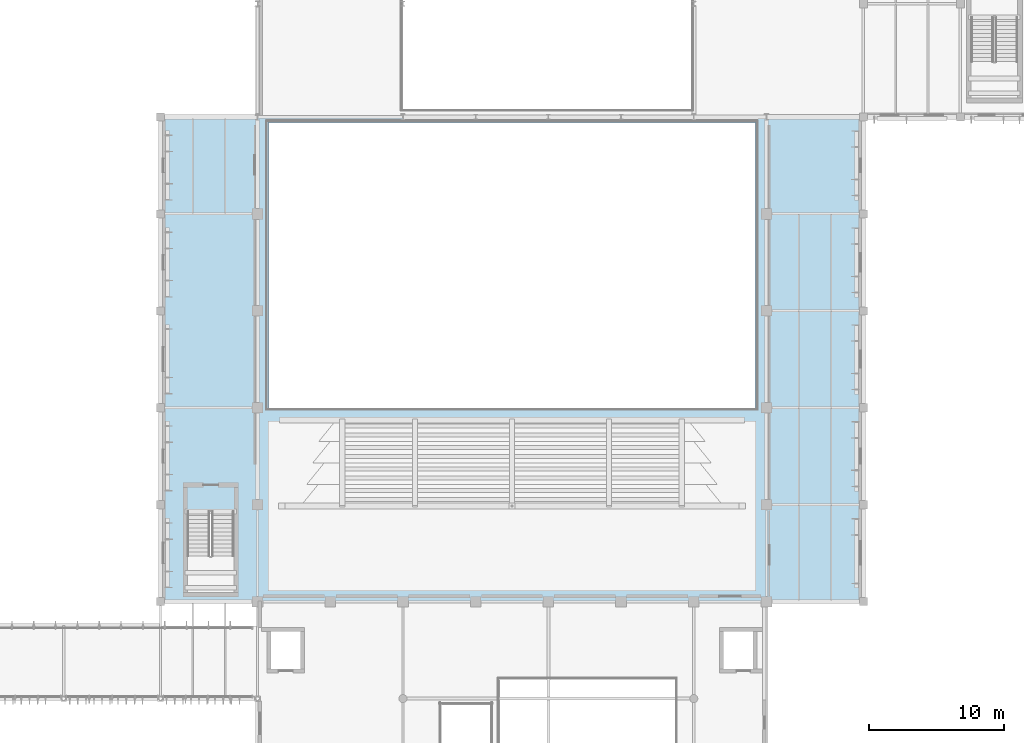
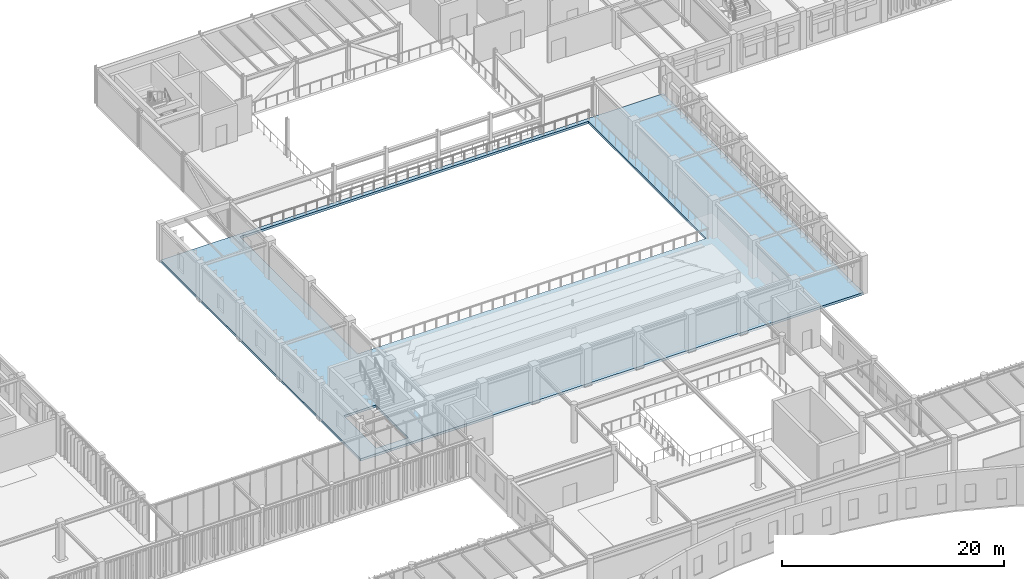
# One storey, part 26 of 104: 1 slab.
"""IFC4 building model written with IfcOpenShell, lengths in metres."""

from ifc_helpers import new_model, si_unit, direction, frame, origin, place, context, subcontext, project, spatial, polyline, outline, extrude, material, layer, layer_set, type_object, element, save


model = new_model("IFC4")

# Units and contexts
model_context = context("Model", 3, precision=1e-05, world=origin(), true_north=direction((0.0, 1.0)))
body_context = subcontext(model_context, "Body", "Model", "MODEL_VIEW")
ifc_project = project(units=[si_unit("LENGTHUNIT", "METRE"), si_unit("AREAUNIT", "SQUARE_METRE"), si_unit("VOLUMEUNIT", "CUBIC_METRE"), si_unit("PLANEANGLEUNIT", "RADIAN"), si_unit("MASSUNIT", "GRAM", prefix="KILO")], contexts=[model_context])

# Site, building, storey
site_placement = place(None, origin())
site = spatial("IfcSite", under=ifc_project, at=site_placement, CompositionType="ELEMENT")
building_placement = place(site_placement, origin())
building = spatial("IfcBuilding", under=site, at=building_placement, Name="Tazoul Stagehouse", CompositionType="ELEMENT")
storey_placement = place(building_placement, frame((0.0, 0.0, 9.0)))
storey = spatial("IfcBuildingStorey", under=building, at=storey_placement, Name="L02", CompositionType="ELEMENT", Elevation=9.0)

# Slab
ifc_material = material(Name="Concrete C35/45", Category="concrete")
ifc_layer = layer(ifc_material, 0.260009765625, Name="Concrete C35/45")
ifc_layer_set = layer_set([ifc_layer], Name="Concrete C35/45")
slab_type = type_object("IfcSlabType", Name="Suspended Floor Slab 260", PredefinedType="FLOOR", material=ifc_layer_set)
slab_placement = place(storey_placement, frame((0.0, 0.0, -0.260009765625)))
element("IfcSlab", 1, at=slab_placement, inside=storey, type_object=slab_type, Name="L02 Suspended Floor Slab 260 (V1)", PredefinedType="FLOOR", context=body_context, shape_type="SweptSolid", body=[
    extrude(outline(polyline([(50.39990234375, 51.800048828125), (50.39990234375, 87.800048828125), (102.60009765625, 87.800048828125), (102.60009765625, 51.800048828125), (50.39990234375, 51.800048828125)]), holes=[polyline([(55.7900390625, 52.550048828125), (52.4599609375, 52.550048828125), (52.4599609375, 58.429931640625), (55.7900390625, 58.429931640625), (55.7900390625, 52.550048828125)]), polyline([(58.39990234375, 87.39990234375), (94.60009765625, 87.39990234375), (94.60009765625, 66.199951171875), (58.39990234375, 66.199951171875), (58.39990234375, 87.39990234375)])]), origin(), (0.0, 0.0, 1.0), 0.260009765625),
])

save(model, "model.ifc")
